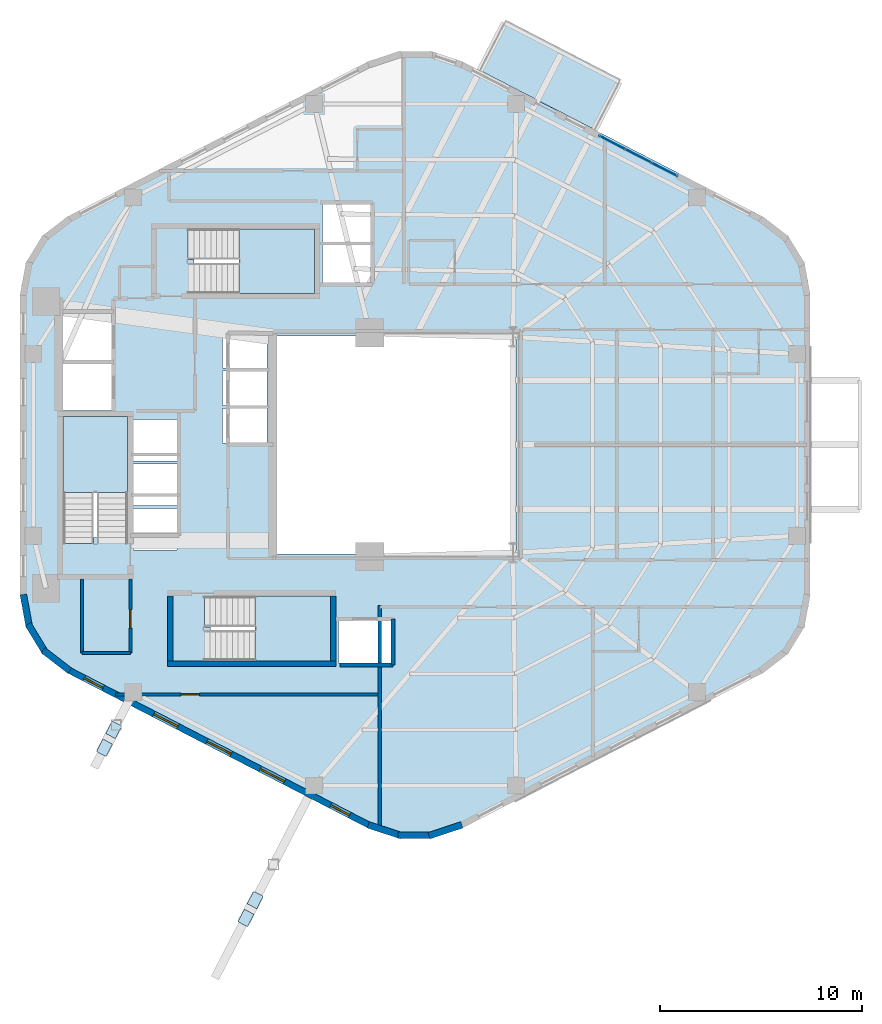
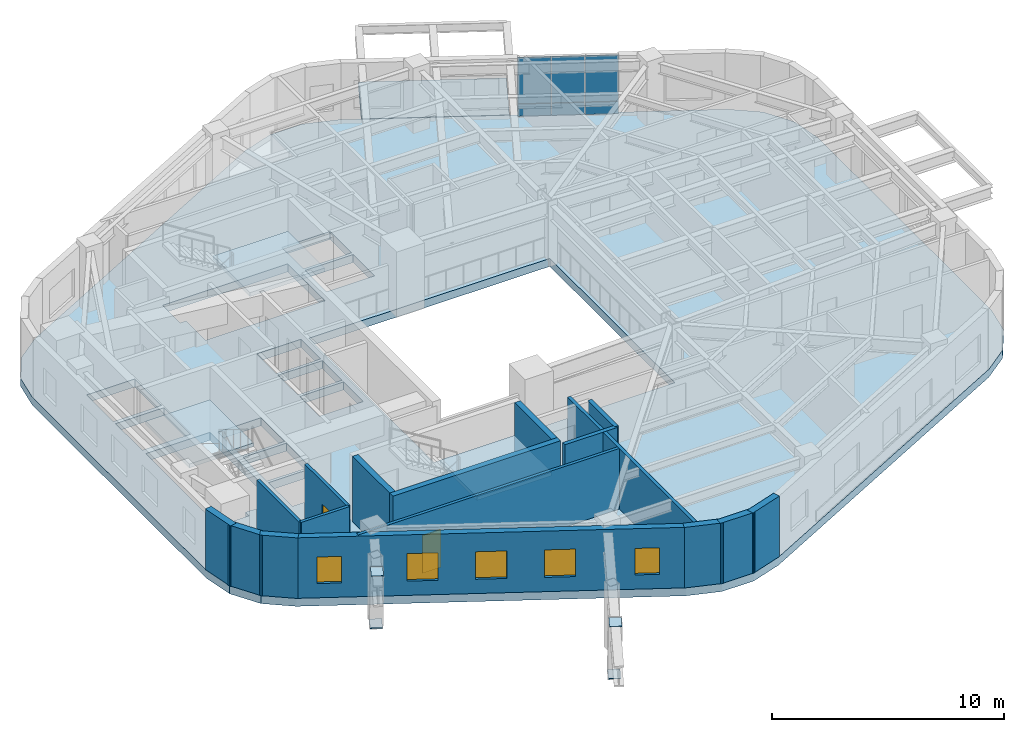
# One storey, part 6 of 12: 17 walls, 10 plates, 5 slabs, 5 windows, 2 doors, 7 openings, 4 elements without a shape of their own.
"""IFC4 building model written with IfcOpenShell, lengths in metres."""

from ifc_helpers import new_model, si_unit, direction, frame, frame_2d, origin, origin_2d, place, context, subcontext, project, spatial, polyline, rectangle, outline, extrude, material, layer, layer_set, type_object, element, fill, aggregate, save


model = new_model("IFC4")

# Units and contexts
model_context = context("Model", 3, precision=1e-05, world=origin(), true_north=direction((0.0, 1.0)))
body_context = subcontext(model_context, "Body", "Model", "MODEL_VIEW")
ifc_project = project(units=[si_unit("LENGTHUNIT", "METRE"), si_unit("AREAUNIT", "SQUARE_METRE"), si_unit("VOLUMEUNIT", "CUBIC_METRE"), si_unit("PLANEANGLEUNIT", "RADIAN"), si_unit("MASSUNIT", "GRAM", prefix="KILO"), si_unit("THERMODYNAMICTEMPERATUREUNIT", "KELVIN"), si_unit("POWERUNIT", "WATT")], contexts=[model_context])

# Site, building, storey
site_placement = place(None, origin())
site = spatial("IfcSite", under=ifc_project, at=site_placement, CompositionType="ELEMENT")
building_placement = place(site_placement, origin())
building = spatial("IfcBuilding", under=site, at=building_placement, Name="Skarre Station Tower", CompositionType="ELEMENT")
storey_placement = place(building_placement, frame((0.0, 0.0, 163.64990234375)))
storey = spatial("IfcBuildingStorey", under=building, at=storey_placement, Name="L44", CompositionType="ELEMENT", Elevation=163.64990234375)

# Curtain wall, plates
ifc_material_1 = material(Name="Thermally Broken Bronze-Anodized Aluminium & Triple Low-E Glass", Category="aluminium")
ifc_layer_1 = layer(ifc_material_1, 0.18994140625, Name="Thermally Broken Bronze-Anodized Aluminium & Triple Low-E Glass")
ifc_layer_set_1 = layer_set([ifc_layer_1], Name="Thermally Broken Bronze-Anodized Aluminium & Triple Low-E Glass")
curtain_wall_type = type_object("IfcCurtainWallType", Name="Sky-Garden Setback Conservatory Curtain Wall", PredefinedType="NOTDEFINED", material=ifc_layer_set_1)
curtain_wall_placement = place(storey_placement, origin())
curtain_wall = element("IfcCurtainWall", 1, at=curtain_wall_placement, inside=storey, type_object=curtain_wall_type, Name="L44 Facet 0 Conservatory Curtain Wall", PredefinedType="NOTDEFINED")
ifc_material_2 = material(Name="Insulated Bronze Anodized Aluminium Spandrel", Category="aluminium")
ifc_layer_2 = layer(ifc_material_2, 0.052001953125, Name="Insulated Bronze Anodized Aluminium Spandrel")
ifc_layer_set_2 = layer_set([ifc_layer_2], Name="Insulated Bronze Anodized Aluminium Spandrel")
plate_type_1 = type_object("IfcPlateType", Name="Bronze Insulated Spandrel Sheet Panel 52", PredefinedType="SHEET", material=ifc_layer_set_2)
plate_1_placement = place(storey_placement, frame((44.364990234375, 38.986083984375, 0.05224609375), z_axis=(0.0, 0.0, 1.0), x_axis=(0.888593216602, -0.458696081745, 0.0)))
plate_1 = element("IfcPlate", 2, at=plate_1_placement, type_object=plate_type_1, Name="L44 Facet 0 Conservatory Curtain Wall Spandrel Panel 1-1", PredefinedType="SHEET", context=body_context, shape_type="SweptSolid", body=[
    extrude(rectangle(XDim=1.43408203125, YDim=0.052001953125, at=origin_2d()), origin(), (0.0, 0.0, 1.0), 0.635986328125),
])
plate_2_placement = place(storey_placement, frame((45.660888671875, 38.31689453125, 0.05224609375), z_axis=(0.0, 0.0, 1.0), x_axis=(0.888593216602, -0.458696081745, 0.0)))
plate_2 = element("IfcPlate", 3, at=plate_2_placement, type_object=plate_type_1, Name="L44 Facet 0 Conservatory Curtain Wall Spandrel Panel 2-1", PredefinedType="SHEET", context=body_context, shape_type="SweptSolid", body=[
    extrude(rectangle(XDim=1.43408203125, YDim=0.052001953125, at=origin_2d()), origin(), (0.0, 0.0, 1.0), 0.635986328125),
])
plate_3_placement = place(storey_placement, frame((46.95703125, 37.64794921875, 0.05224609375), z_axis=(0.0, 0.0, 1.0), x_axis=(0.888593216602, -0.458696081745, 0.0)))
plate_3 = element("IfcPlate", 4, at=plate_3_placement, type_object=plate_type_1, Name="L44 Facet 0 Conservatory Curtain Wall Spandrel Panel 3-1", PredefinedType="SHEET", context=body_context, shape_type="SweptSolid", body=[
    extrude(rectangle(XDim=1.43408203125, YDim=0.052001953125, at=origin_2d()), origin(), (0.0, 0.0, 1.0), 0.635986328125),
])

# Plates
ifc_material_3 = material(Name="Steel ASTM A572 Grade 50", Category="steel")
ifc_layer_3 = layer(ifc_material_3, 0.031982421875, Name="Steel ASTM A572 Grade 50")
ifc_layer_set_3 = layer_set([ifc_layer_3], Name="Steel ASTM A572 Grade 50")
plate_type_2 = type_object("IfcPlateType", Name="Exoskeleton Strut Cap Plate 700x540x32", PredefinedType="USERDEFINED", material=ifc_layer_set_3)
for number, where, z_axis, x_axis, name in (
    (5, (19.6630859375, 9.876953125, -0.44580078125), (0.0, 0.0, 1.0), (-0.458634045118, -0.888625237464, 0.0), "L44 SB-4 Exoskeleton Tier-2 Base Gusset S1"),
    (6, (19.2041015625, 8.988037109375, 3.00390625), (0.0, 0.0, 1.0), (-0.458634045118, -0.888625237464, 0.0), "L44 SB-4 Exoskeleton Tier-2 Head Gusset S1"),
    (7, (26.672119140625, 1.44189453125, -0.44580078125), (0.0, 0.0, 1.0), (-0.458634045118, -0.888625237464, 0.0), "L44 SB-4 Exoskeleton Tier-2 Base Gusset S2"),
    (8, (26.212890625, 0.553955078125, 3.00390625), (0.0, 0.0, 1.0), (-0.458634045118, -0.888625237464, 0.0), "L44 SB-4 Exoskeleton Tier-2 Head Gusset S2"),
):
    element("IfcPlate", number, at=place(storey_placement, frame(where, z_axis=z_axis, x_axis=x_axis)), inside=storey, type_object=plate_type_2, Name=name, ObjectType="STIFFENER_PLATE", PredefinedType="USERDEFINED", context=body_context, shape_type="SweptSolid", body=[
        extrude(rectangle(XDim=0.699951171875, YDim=0.5400390625, at=origin_2d()), origin(), (0.0, 0.0, 1.0), 0.031982421875),
    ])

# Stair, slab
ifc_material_4 = material(Name="Concrete C40/50", Category="concrete")
stair_type_1 = type_object("IfcStairType", Name="Reinforced Concrete Exit Stair ST-1", PredefinedType="HALF_TURN_STAIR", material=ifc_material_4)
stair_1_placement = place(storey_placement, origin())
stair_1 = element("IfcStair", 9, at=stair_1_placement, inside=storey, type_object=stair_type_1, Name="L44 Core Exit Stair ST-1", PredefinedType="HALF_TURN_STAIR")
ifc_layer_4 = layer(ifc_material_4, 0.219970703125, Name="Concrete C40/50")
ifc_layer_set_4 = layer_set([ifc_layer_4], Name="Concrete C40/50")
slab_type_1 = type_object("IfcSlabType", Name="Reinforced Concrete Stair & Ramp Landing 220", PredefinedType="LANDING", material=ifc_layer_set_4)
slab_1_placement = place(storey_placement, frame((0.0, 0.0, 1.525146484375)))
slab_1 = element("IfcSlab", 10, at=slab_1_placement, type_object=slab_type_1, Name="ST-1 landing 1", PredefinedType="LANDING", context=body_context, shape_type="SweptSolid", body=[
    extrude(outline(polyline([(20.35009765625, 21.639892578125), (20.35009765625, 25.39990234375), (17.14990234375, 25.39990234375), (17.14990234375, 21.639892578125), (20.35009765625, 21.639892578125)])), origin(), (0.0, 0.0, 1.0), 0.199951171875),
])
aggregate(stair_1, [slab_1])

stair_type_2 = type_object("IfcStairType", Name="Reinforced Concrete Exit Stair ST-2", PredefinedType="HALF_TURN_STAIR", material=ifc_material_4)
stair_2_placement = place(storey_placement, origin())
stair_2 = element("IfcStair", 11, at=stair_2_placement, inside=storey, type_object=stair_type_2, Name="L44 Core Exit Stair ST-2", PredefinedType="HALF_TURN_STAIR")
slab_2_placement = place(storey_placement, frame((0.0, 0.0, 1.525146484375)))
slab_2 = element("IfcSlab", 12, at=slab_2_placement, type_object=slab_type_1, Name="ST-2 landing 1", PredefinedType="LANDING", context=body_context, shape_type="SweptSolid", body=[
    extrude(outline(polyline([(26.669921875, 13.300048828125), (30.39990234375, 13.300048828125), (30.39990234375, 16.5), (26.669921875, 16.5), (26.669921875, 13.300048828125)])), origin(), (0.0, 0.0, 1.0), 0.199951171875),
])
aggregate(stair_2, [slab_2])

stair_type_3 = type_object("IfcStairType", Name="Reinforced Concrete Exit Stair ST-3", PredefinedType="HALF_TURN_STAIR", material=ifc_material_4)
stair_3_placement = place(storey_placement, origin())
stair_3 = element("IfcStair", 13, at=stair_3_placement, inside=storey, type_object=stair_type_3, Name="L44 Core Exit Stair ST-3", PredefinedType="HALF_TURN_STAIR")
slab_3_placement = place(storey_placement, frame((0.0, 0.0, 1.525146484375)))
slab_3 = element("IfcSlab", 14, at=slab_3_placement, type_object=slab_type_1, Name="ST-3 landing 1", PredefinedType="LANDING", context=body_context, shape_type="SweptSolid", body=[
    extrude(outline(polyline([(25.8701171875, 31.5), (29.60009765625, 31.5), (29.60009765625, 34.699951171875), (25.8701171875, 34.699951171875), (25.8701171875, 31.5)])), origin(), (0.0, 0.0, 1.0), 0.199951171875),
])
aggregate(stair_3, [slab_3])

# Slabs
ifc_material_5 = material(Name="Concrete C50/60", Category="concrete")
ifc_layer_5 = layer(ifc_material_5, 0.419921875, Name="Concrete C50/60")
ifc_layer_set_5 = layer_set([ifc_layer_5], Name="Concrete C50/60")
slab_type_2 = type_object("IfcSlabType", Name="Sky-Garden & Lookout Terrace Slab 360", PredefinedType="FLOOR", material=ifc_layer_set_5)
slab_4_placement = place(storey_placement, frame((0.0, 0.0, -0.35986328125)))
element("IfcSlab", 15, at=slab_4_placement, inside=storey, type_object=slab_type_2, Name="L44 SG-2 Planted Sky-Garden Terrace Slab", PredefinedType="FLOOR", context=body_context, shape_type="SweptSolid", body=[
    extrude(outline(polyline([(37.81103515625, 42.554931640625), (43.492919921875, 39.6220703125), (44.77294921875, 42.10107421875), (39.090087890625, 45.033935546875), (37.81103515625, 42.554931640625)])), origin(), (0.0, 0.0, 1.0), 0.35986328125),
])
ifc_layer_6 = layer(ifc_material_5, 0.419921875, Name="Concrete C50/60")
ifc_layer_set_6 = layer_set([ifc_layer_6], Name="Concrete C50/60")
slab_type_3 = type_object("IfcSlabType", Name="Transfer & Concourse Floor Slab 360", PredefinedType="FLOOR", material=ifc_layer_set_6)
slab_5_placement = place(storey_placement, frame((0.0, 0.0, -0.419921875)))
element("IfcSlab", 16, at=slab_5_placement, inside=storey, type_object=slab_type_3, Name="L44 Zone 3 Structural Floor Slab", PredefinedType="FLOOR", context=body_context, shape_type="SweptSolid", body=[
    extrude(outline(polyline([(54.172119140625, 31.501953125), (53.89208984375, 33.02294921875), (53.0869140625, 34.344970703125), (51.863037109375, 35.291015625), (36.908935546875, 43.009033203125), (35.39599609375, 43.506103515625), (33.803955078125, 43.506103515625), (32.291015625, 43.009033203125), (17.3369140625, 35.291015625), (16.113037109375, 34.344970703125), (15.30810546875, 33.02294921875), (15.028076171875, 31.501953125), (15.028076171875, 16.498046875), (15.30810546875, 14.97705078125), (16.113037109375, 13.655029296875), (17.3369140625, 12.708984375), (32.291015625, 4.990966796875), (33.803955078125, 4.493896484375), (35.39599609375, 4.493896484375), (36.908935546875, 4.990966796875), (51.863037109375, 12.708984375), (53.0869140625, 13.655029296875), (53.89208984375, 14.97705078125), (54.172119140625, 16.498046875), (54.172119140625, 31.501953125)]), holes=[polyline([(18.669921875, 19.419921875), (18.669921875, 19.123046875), (17.14990234375, 19.123046875), (17.14990234375, 25.39990234375), (20.35009765625, 25.39990234375), (20.35009765625, 19.419921875), (18.669921875, 19.419921875)]), polyline([(24.449951171875, 14.97998046875), (24.153076171875, 14.97998046875), (24.153076171875, 16.5), (30.39990234375, 16.5), (30.39990234375, 13.300048828125), (24.449951171875, 13.300048828125), (24.449951171875, 14.97998046875)]), polyline([(23.64990234375, 33.179931640625), (23.35302734375, 33.179931640625), (23.35302734375, 34.699951171875), (29.60009765625, 34.699951171875), (29.60009765625, 31.5), (23.64990234375, 31.5), (23.64990234375, 33.179931640625)]), polyline([(17.14990234375, 28.0), (19.550048828125, 28.0), (19.550048828125, 25.699951171875), (17.14990234375, 25.699951171875), (17.14990234375, 28.0)]), polyline([(17.14990234375, 30.5), (19.550048828125, 30.5), (19.550048828125, 28.199951171875), (17.14990234375, 28.199951171875), (17.14990234375, 30.5)]), polyline([(30.800048828125, 15.300048828125), (33.39990234375, 15.300048828125), (33.39990234375, 13.199951171875), (30.800048828125, 13.199951171875), (30.800048828125, 15.300048828125)]), polyline([(25.050048828125, 25.800048828125), (27.25, 25.800048828125), (27.25, 24.10009765625), (25.050048828125, 24.10009765625), (25.050048828125, 25.800048828125)]), polyline([(25.050048828125, 27.64990234375), (27.25, 27.64990234375), (27.25, 25.949951171875), (25.050048828125, 25.949951171875), (25.050048828125, 27.64990234375)]), polyline([(25.050048828125, 29.5), (27.25, 29.5), (27.25, 27.800048828125), (25.050048828125, 27.800048828125), (25.050048828125, 29.5)]), polyline([(20.64990234375, 20.85009765625), (22.800048828125, 20.85009765625), (22.800048828125, 18.800048828125), (20.64990234375, 18.800048828125), (20.64990234375, 20.85009765625)]), polyline([(20.64990234375, 23.050048828125), (22.800048828125, 23.050048828125), (22.800048828125, 21.0), (20.64990234375, 21.0), (20.64990234375, 23.050048828125)]), polyline([(20.64990234375, 25.25), (22.800048828125, 25.25), (22.800048828125, 23.199951171875), (20.64990234375, 23.199951171875), (20.64990234375, 25.25)]), polyline([(30.0, 33.89990234375), (32.39990234375, 33.89990234375), (32.39990234375, 32.050048828125), (30.0, 32.050048828125), (30.0, 33.89990234375)]), polyline([(30.0, 35.89990234375), (32.39990234375, 35.89990234375), (32.39990234375, 34.050048828125), (30.0, 34.050048828125), (30.0, 35.89990234375)]), polyline([(27.60009765625, 29.39990234375), (39.60009765625, 29.39990234375), (39.60009765625, 18.60009765625), (27.60009765625, 18.60009765625), (27.60009765625, 29.39990234375)])]), origin(), (0.0, 0.0, 1.0), 0.419921875),
])

# Plate
ifc_material_6 = material(Name="Low-Iron Triple Insulating Glass Unit", Category="glass")
ifc_layer_7 = layer(ifc_material_6, 0.0439453125, Name="Low-Iron Triple Insulating Glass Unit")
ifc_layer_set_7 = layer_set([ifc_layer_7], Name="Low-Iron Triple Insulating Glass Unit")
plate_type_3 = type_object("IfcPlateType", Name="Triple-Glazed Vision Curtain Panel 44", PredefinedType="CURTAIN_PANEL", material=ifc_layer_set_7)
plate_4_placement = place(storey_placement, frame((44.364990234375, 38.986083984375, 0.7119140625), z_axis=(0.0, 0.0, 1.0), x_axis=(0.888593216602, -0.458696081745, 0.0)))
plate_4 = element("IfcPlate", 17, at=plate_4_placement, type_object=plate_type_3, Name="L44 Facet 0 Conservatory Curtain Wall Vision Panel 1-2", PredefinedType="CURTAIN_PANEL", context=body_context, shape_type="SweptSolid", body=[
    extrude(rectangle(XDim=1.43408203125, YDim=0.0439453125, at=origin_2d()), origin(), (0.0, 0.0, 1.0), 2.426025390625),
])

plate_5_placement = place(storey_placement, frame((45.660888671875, 38.31689453125, 0.7119140625), z_axis=(0.0, 0.0, 1.0), x_axis=(0.888593216602, -0.458696081745, 0.0)))
plate_5 = element("IfcPlate", 18, at=plate_5_placement, type_object=plate_type_3, Name="L44 Facet 0 Conservatory Curtain Wall Vision Panel 2-2", PredefinedType="CURTAIN_PANEL", context=body_context, shape_type="SweptSolid", body=[
    extrude(rectangle(XDim=1.43408203125, YDim=0.0439453125, at=origin_2d()), origin(), (0.0, 0.0, 1.0), 2.426025390625),
])

plate_6_placement = place(storey_placement, frame((46.95703125, 37.64794921875, 0.7119140625), z_axis=(0.0, 0.0, 1.0), x_axis=(0.888593216602, -0.458696081745, 0.0)))
plate_6 = element("IfcPlate", 19, at=plate_6_placement, type_object=plate_type_3, Name="L44 Facet 0 Conservatory Curtain Wall Vision Panel 3-2", PredefinedType="CURTAIN_PANEL", context=body_context, shape_type="SweptSolid", body=[
    extrude(rectangle(XDim=1.43408203125, YDim=0.0439453125, at=origin_2d()), origin(), (0.0, 0.0, 1.0), 2.426025390625),
])

aggregate(curtain_wall, [plate_1, plate_4, plate_2, plate_5, plate_3, plate_6])

# Walls
ifc_material_7 = material(Name="Acoustic Steel-Stud Gypsum Partition", Category="steel")
ifc_layer_8 = layer(ifc_material_7, 0.14990234375, Name="Acoustic Steel-Stud Gypsum Partition")
ifc_layer_set_8 = layer_set([ifc_layer_8], Name="Acoustic Steel-Stud Gypsum Partition")
wall_type_1 = type_object("IfcWallType", Name="Fire-Rated Corridor Acoustic Partition 150", PredefinedType="PARTITIONING", material=ifc_layer_set_8)
wall_1_placement = place(storey_placement, frame((18.10009765625, 17.340087890625, 0.0), z_axis=(0.0, 0.0, 1.0), x_axis=(0.0, -1.0, 0.0)))
element("IfcWall", 20, at=wall_1_placement, inside=storey, type_object=wall_type_1, Name="L44 Interior Partition WL-PT-L44-CSVC-W", PredefinedType="PARTITIONING", context=body_context, shape_type="SweptSolid", body=[
    extrude(rectangle(XDim=3.66015625, YDim=0.14990234375, at=frame_2d((1.830078125, 0.0))), origin(), (0.0, 0.0, 1.0), 3.190185546875),
])
wall_2_placement = place(storey_placement, frame((18.10009765625, 13.679931640625, 0.0), z_axis=(0.0, 0.0, 1.0), x_axis=(1.0, 0.0, 0.0)))
element("IfcWall", 21, at=wall_2_placement, inside=storey, type_object=wall_type_1, Name="L44 Interior Partition WL-PT-L44-CSVC-S", PredefinedType="PARTITIONING", context=body_context, shape_type="SweptSolid", body=[
    extrude(rectangle(XDim=2.389892578125, YDim=0.14990234375, at=frame_2d((1.19482421875, 0.0))), origin(), (0.0, 0.0, 1.0), 3.190185546875),
])

# Wall, opening, door
wall_3_placement = place(storey_placement, frame((20.489990234375, 13.679931640625, 0.0), z_axis=(0.0, 0.0, 1.0), x_axis=(0.0, 1.0, 0.0)))
wall_3 = element("IfcWall", 22, at=wall_3_placement, inside=storey, type_object=wall_type_1, Name="L44 Interior Partition WL-PT-L44-CSVC-E", PredefinedType="PARTITIONING", context=body_context, shape_type="SweptSolid", body=[
    extrude(rectangle(XDim=3.66015625, YDim=0.14990234375, at=frame_2d((1.830078125, 0.0))), origin(), (0.0, 0.0, 1.0), 3.190185546875),
])
opening_1_placement = place(wall_3_placement, frame((1.25, 0.0, 0.0)))
opening_1 = element("IfcOpeningElement", 23, at=opening_1_placement, cuts=wall_3, Name="Opening DR-SVC90", PredefinedType="OPENING", context=body_context, shape_type="SweptSolid", body=[
    extrude(rectangle(XDim=0.89990234375, YDim=2.0, at=frame_2d((0.449951171875, 1.0))), frame((0.0, 0.0849609375, 0.0), z_axis=(0.0, -1.0, 0.0), x_axis=(1.0, 0.0, 0.0)), (0.0, 0.0, 1.0), 0.169921875),
])
ifc_material_8 = material(Name="Powder-Coated Hollow-Metal Acoustic Fire Leaf", Category="steel")
door_type = type_object("IfcDoorType", Name="Service & Riser Fire Door FD60 900x2100", OperationType="SINGLE_SWING_LEFT", PredefinedType="DOOR", material=ifc_material_8)
door_1_placement = place(opening_1_placement, origin())
door_1 = element("IfcDoor", 24, at=door_1_placement, inside=storey, type_object=door_type, Name="L44 Core Pantry Door", OperationType="SINGLE_SWING_LEFT", OverallHeight=2.0, OverallWidth=0.89990234375, PredefinedType="DOOR", context=body_context, shape_type="SweptSolid", body=[
    extrude(rectangle(XDim=0.89990234375, YDim=2.0, at=frame_2d((0.449951171875, 1.0))), frame((0.0, 0.02490234375, 0.0), z_axis=(0.0, -1.0, 0.0), x_axis=(1.0, 0.0, 0.0)), (0.0, 0.0, 1.0), 0.050048828125),
])
fill(opening_1, door_1)

wall_4_placement = place(storey_placement, frame((19.757080078125, 11.639892578125, 0.0), z_axis=(0.0, 0.0, 1.0), x_axis=(1.0, 0.0, 0.0)))
wall_4 = element("IfcWall", 25, at=wall_4_placement, inside=storey, type_object=wall_type_1, Name="L44 Interior Partition WL-PT-L44-SWP-N", PredefinedType="PARTITIONING", context=body_context, shape_type="SweptSolid", body=[
    extrude(rectangle(XDim=13.093017578125, YDim=0.14990234375, at=frame_2d((6.54638671875, 0.0))), origin(), (0.0, 0.0, 1.0), 3.190185546875),
])
opening_2_placement = place(wall_4_placement, frame((3.242919921875, 0.0, 0.0)))
opening_2 = element("IfcOpeningElement", 26, at=opening_2_placement, cuts=wall_4, Name="Opening DR-SVC90", PredefinedType="OPENING", context=body_context, shape_type="SweptSolid", body=[
    extrude(rectangle(XDim=0.89990234375, YDim=2.0, at=frame_2d((0.449951171875, 1.0))), frame((0.0, 0.0849609375, 0.0), z_axis=(0.0, -1.0, 0.0), x_axis=(1.0, 0.0, 0.0)), (0.0, 0.0, 1.0), 0.169921875),
])
door_2_placement = place(opening_2_placement, origin())
door_2 = element("IfcDoor", 27, at=door_2_placement, inside=storey, type_object=door_type, Name="L44 Floor Public Toilets Door", OperationType="SINGLE_SWING_LEFT", OverallHeight=2.0, OverallWidth=0.89990234375, PredefinedType="DOOR", context=body_context, shape_type="SweptSolid", body=[
    extrude(rectangle(XDim=0.89990234375, YDim=2.0, at=frame_2d((0.449951171875, 1.0))), frame((0.0, 0.02490234375, 0.0), z_axis=(0.0, -1.0, 0.0), x_axis=(1.0, 0.0, 0.0)), (0.0, 0.0, 1.0), 0.050048828125),
])
fill(opening_2, door_2)

# Walls
ifc_material_9 = material(Name="Precast concrete C45/55", Category="concrete")
ifc_layer_9 = layer(ifc_material_9, 0.330078125, Name="Precast concrete C45/55")
ifc_layer_set_9 = layer_set([ifc_layer_9], Name="Precast concrete C45/55")
wall_type_2 = type_object("IfcWallType", Name="Nordic Rounded Corner Precast Wall 330", PredefinedType="STANDARD", material=ifc_layer_set_9)
wall_5_placement = place(storey_placement, frame((17.489013671875, 12.800048828125, 0.0), z_axis=(0.0, 0.0, 1.0), x_axis=(-0.791409877269, 0.611285862884, 0.0)))
element("IfcWall", 28, at=wall_5_placement, inside=storey, type_object=wall_type_2, Name="L44 Rounded Corner Precast Wall F3-1", PredefinedType="STANDARD", context=body_context, shape_type="SweptSolid", body=[
    extrude(rectangle(XDim=1.676513671875, YDim=0.330078125, at=frame_2d((0.83837890625, 0.0))), origin(), (0.0, 0.0, 1.0), 3.190185546875),
])
wall_6_placement = place(storey_placement, frame((16.2880859375, 13.68505859375, 0.0), z_axis=(0.0, 0.0, 1.0), x_axis=(-0.520325409202, 0.853968072318, 0.0)))
element("IfcWall", 29, at=wall_6_placement, inside=storey, type_object=wall_type_2, Name="L44 Rounded Corner Precast Wall F3-2", PredefinedType="STANDARD", context=body_context, shape_type="SweptSolid", body=[
    extrude(rectangle(XDim=1.677978515625, YDim=0.330078125, at=frame_2d((0.8388671875, 0.0))), origin(), (0.0, 0.0, 1.0), 3.190185546875),
])
wall_7_placement = place(storey_placement, frame((15.48193359375, 14.943115234375, 0.0), z_axis=(0.0, 0.0, 1.0), x_axis=(-0.180717642671, 0.983535019014, 0.0)))
element("IfcWall", 30, at=wall_7_placement, inside=storey, type_object=wall_type_2, Name="L44 Rounded Corner Precast Wall F3-3", PredefinedType="STANDARD", context=body_context, shape_type="SweptSolid", body=[
    extrude(rectangle(XDim=1.676513671875, YDim=0.330078125, at=frame_2d((0.83837890625, 0.0))), origin(), (0.0, 0.0, 1.0), 3.190185546875),
])
wall_8_placement = place(storey_placement, frame((36.9189453125, 5.16796875, 0.0), z_axis=(0.0, 0.0, 1.0), x_axis=(-0.949937416267, -0.312440242569, 0.0)))
element("IfcWall", 31, at=wall_8_placement, inside=storey, type_object=wall_type_2, Name="L44 Rounded Corner Precast Wall F4-1", PredefinedType="STANDARD", context=body_context, shape_type="SweptSolid", body=[
    extrude(rectangle(XDim=1.72216796875, YDim=0.330078125, at=frame_2d((0.861083984375, 0.0))), origin(), (0.0, 0.0, 1.0), 3.190185546875),
])
wall_9_placement = place(storey_placement, frame((35.4609375, 4.658935546875, 0.0), z_axis=(0.0, 0.0, 1.0), x_axis=(-1.0, 0.0, 0.0)))
element("IfcWall", 32, at=wall_9_placement, inside=storey, type_object=wall_type_2, Name="L44 Rounded Corner Precast Wall F4-2", PredefinedType="STANDARD", context=body_context, shape_type="SweptSolid", body=[
    extrude(rectangle(XDim=1.721923828125, YDim=0.330078125, at=frame_2d((0.86083984375, 0.0))), origin(), (0.0, 0.0, 1.0), 3.190185546875),
])
wall_10_placement = place(storey_placement, frame((33.9169921875, 4.6298828125, 0.0), z_axis=(0.0, 0.0, 1.0), x_axis=(-0.949937416267, 0.312440242569, 0.0)))
element("IfcWall", 33, at=wall_10_placement, inside=storey, type_object=wall_type_2, Name="L44 Rounded Corner Precast Wall F4-3", PredefinedType="STANDARD", context=body_context, shape_type="SweptSolid", body=[
    extrude(rectangle(XDim=1.72216796875, YDim=0.330078125, at=frame_2d((0.861083984375, 0.0))), origin(), (0.0, 0.0, 1.0), 3.190185546875),
])

# Wall, openings, windows
ifc_layer_10 = layer(ifc_material_9, 0.31005859375, Name="Precast concrete C45/55")
ifc_layer_set_10 = layer_set([ifc_layer_10], Name="Precast concrete C45/55")
wall_type_3 = type_object("IfcWallType", Name="Nordic Upper-Zone Precast Facet Wall 310", PredefinedType="STANDARD", material=ifc_layer_set_10)
wall_11_placement = place(storey_placement, frame((32.362060546875, 5.12890625, 0.0), z_axis=(0.0, 0.0, 1.0), x_axis=(-0.888626188278, 0.458632202867, 0.0)))
wall_11 = element("IfcWall", 34, at=wall_11_placement, inside=storey, type_object=wall_type_3, Name="L44 Facet 3 Nordic Precast Masonry Wall", PredefinedType="STANDARD", context=body_context, shape_type="SweptSolid", body=[
    extrude(rectangle(XDim=16.828369140625, YDim=0.31005859375, at=frame_2d((8.4140625, 0.0))), origin(), (0.0, 0.0, 1.0), 3.190185546875),
])
opening_3_placement = place(wall_11_placement, frame((1.136962890625, 0.0, 0.75)))
opening_3 = element("IfcOpeningElement", 35, at=opening_3_placement, cuts=wall_11, Name="Opening WN-SLT", PredefinedType="OPENING", context=body_context, shape_type="SweptSolid", body=[
    extrude(rectangle(XDim=1.050048828125, YDim=1.39990234375, at=frame_2d((0.52490234375, 0.699951171875))), frame((0.0, 0.1650390625, 0.0), z_axis=(0.0, -1.0, 0.0), x_axis=(1.0, 0.0, 0.0)), (0.0, 0.0, 1.0), 0.330078125),
])
opening_4_placement = place(wall_11_placement, frame((4.76806640625, 0.0, 0.75)))
opening_4 = element("IfcOpeningElement", 36, at=opening_4_placement, cuts=wall_11, Name="Opening WN-Z3B", PredefinedType="OPENING", context=body_context, shape_type="SweptSolid", body=[
    extrude(rectangle(XDim=1.35009765625, YDim=1.449951171875, at=frame_2d((0.675048828125, 0.72509765625))), frame((0.0, 0.1650390625, 0.0), z_axis=(0.0, -1.0, 0.0), x_axis=(1.0, 0.0, 0.0)), (0.0, 0.0, 1.0), 0.330078125),
])
opening_5_placement = place(wall_11_placement, frame((7.739013671875, 0.0, 0.75)))
opening_5 = element("IfcOpeningElement", 37, at=opening_5_placement, cuts=wall_11, Name="Opening WN-Z3B", PredefinedType="OPENING", context=body_context, shape_type="SweptSolid", body=[
    extrude(rectangle(XDim=1.35009765625, YDim=1.449951171875, at=frame_2d((0.675048828125, 0.72509765625))), frame((0.0, 0.1650390625, 0.0), z_axis=(0.0, -1.0, 0.0), x_axis=(1.0, 0.0, 0.0)), (0.0, 0.0, 1.0), 0.330078125),
])
opening_6_placement = place(wall_11_placement, frame((10.7099609375, 0.0, 0.75)))
opening_6 = element("IfcOpeningElement", 38, at=opening_6_placement, cuts=wall_11, Name="Opening WN-Z3B", PredefinedType="OPENING", context=body_context, shape_type="SweptSolid", body=[
    extrude(rectangle(XDim=1.35009765625, YDim=1.449951171875, at=frame_2d((0.675048828125, 0.72509765625))), frame((0.0, 0.1650390625, 0.0), z_axis=(0.0, -1.0, 0.0), x_axis=(1.0, 0.0, 0.0)), (0.0, 0.0, 1.0), 0.330078125),
])
opening_7_placement = place(wall_11_placement, frame((14.885009765625, 0.0, 0.75)))
opening_7 = element("IfcOpeningElement", 39, at=opening_7_placement, cuts=wall_11, Name="Opening WN-SLT", PredefinedType="OPENING", context=body_context, shape_type="SweptSolid", body=[
    extrude(rectangle(XDim=1.050048828125, YDim=1.39990234375, at=frame_2d((0.52490234375, 0.699951171875))), frame((0.0, 0.1650390625, 0.0), z_axis=(0.0, -1.0, 0.0), x_axis=(1.0, 0.0, 0.0)), (0.0, 0.0, 1.0), 0.330078125),
])
ifc_material_10 = material(Name="Low-Iron Triple Glazing with Bronze Anodized Frame", Category="glass")
window_type_1 = type_object("IfcWindowType", Name="Nordic Corner Slot Window 1050x1400", PartitioningType="SINGLE_PANEL", PredefinedType="WINDOW", material=ifc_material_10)
window_1_placement = place(opening_3_placement, origin())
window_1 = element("IfcWindow", 40, at=window_1_placement, inside=storey, type_object=window_type_1, Name="L44 Facade Window WL-FAC-L44-F3-1", OverallHeight=1.39990234375, OverallWidth=1.050048828125, PartitioningType="SINGLE_PANEL", PredefinedType="WINDOW", context=body_context, shape_type="SweptSolid", body=[
    extrude(rectangle(XDim=1.050048828125, YDim=1.39990234375, at=frame_2d((0.52490234375, 0.699951171875))), frame((0.0, 0.030029296875, 0.0), z_axis=(0.0, -1.0, 0.0), x_axis=(1.0, 0.0, 0.0)), (0.0, 0.0, 1.0), 0.06005859375),
])
fill(opening_3, window_1)
window_2_placement = place(opening_7_placement, origin())
window_2 = element("IfcWindow", 41, at=window_2_placement, inside=storey, type_object=window_type_1, Name="L44 Facade Window WL-FAC-L44-F3-5", OverallHeight=1.39990234375, OverallWidth=1.050048828125, PartitioningType="SINGLE_PANEL", PredefinedType="WINDOW", context=body_context, shape_type="SweptSolid", body=[
    extrude(rectangle(XDim=1.050048828125, YDim=1.39990234375, at=frame_2d((0.52490234375, 0.699951171875))), frame((0.0, 0.030029296875, 0.0), z_axis=(0.0, -1.0, 0.0), x_axis=(1.0, 0.0, 0.0)), (0.0, 0.0, 1.0), 0.06005859375),
])
fill(opening_7, window_2)
window_type_2 = type_object("IfcWindowType", Name="Nordic Hospitality Narrow Window 1350x1450", PartitioningType="SINGLE_PANEL", PredefinedType="WINDOW", material=ifc_material_10)
window_3_placement = place(opening_4_placement, origin())
window_3 = element("IfcWindow", 42, at=window_3_placement, inside=storey, type_object=window_type_2, Name="L44 Facade Window WL-FAC-L44-F3-2", OverallHeight=1.449951171875, OverallWidth=1.35009765625, PartitioningType="SINGLE_PANEL", PredefinedType="WINDOW", context=body_context, shape_type="SweptSolid", body=[
    extrude(rectangle(XDim=1.35009765625, YDim=1.449951171875, at=frame_2d((0.675048828125, 0.72509765625))), frame((0.0, 0.030029296875, 0.0), z_axis=(0.0, -1.0, 0.0), x_axis=(1.0, 0.0, 0.0)), (0.0, 0.0, 1.0), 0.06005859375),
])
fill(opening_4, window_3)
window_4_placement = place(opening_5_placement, origin())
window_4 = element("IfcWindow", 43, at=window_4_placement, inside=storey, type_object=window_type_2, Name="L44 Facade Window WL-FAC-L44-F3-3", OverallHeight=1.449951171875, OverallWidth=1.35009765625, PartitioningType="SINGLE_PANEL", PredefinedType="WINDOW", context=body_context, shape_type="SweptSolid", body=[
    extrude(rectangle(XDim=1.35009765625, YDim=1.449951171875, at=frame_2d((0.675048828125, 0.72509765625))), frame((0.0, 0.030029296875, 0.0), z_axis=(0.0, -1.0, 0.0), x_axis=(1.0, 0.0, 0.0)), (0.0, 0.0, 1.0), 0.06005859375),
])
fill(opening_5, window_4)
window_5_placement = place(opening_6_placement, origin())
window_5 = element("IfcWindow", 44, at=window_5_placement, inside=storey, type_object=window_type_2, Name="L44 Facade Window WL-FAC-L44-F3-4", OverallHeight=1.449951171875, OverallWidth=1.35009765625, PartitioningType="SINGLE_PANEL", PredefinedType="WINDOW", context=body_context, shape_type="SweptSolid", body=[
    extrude(rectangle(XDim=1.35009765625, YDim=1.449951171875, at=frame_2d((0.675048828125, 0.72509765625))), frame((0.0, 0.030029296875, 0.0), z_axis=(0.0, -1.0, 0.0), x_axis=(1.0, 0.0, 0.0)), (0.0, 0.0, 1.0), 0.06005859375),
])
fill(opening_6, window_5)

# Walls
ifc_layer_11 = layer(ifc_material_5, 0.280029296875, Name="Concrete C50/60")
ifc_layer_set_11 = layer_set([ifc_layer_11], Name="Concrete C50/60")
wall_type_4 = type_object("IfcWallType", Name="RC Core Shear Wall 280", PredefinedType="SHEAR", material=ifc_layer_set_11)
wall_12_placement = place(storey_placement, frame((22.320068359375, 13.159912109375, 0.0), z_axis=(0.0, 0.0, 1.0), x_axis=(1.0, 0.0, 0.0)))
element("IfcWall", 45, at=wall_12_placement, inside=storey, type_object=wall_type_4, Name="L44 Stair ST-2 South Shear Wall", PredefinedType="SHEAR", context=body_context, shape_type="SweptSolid", body=[
    extrude(rectangle(XDim=8.35986328125, YDim=0.280029296875, at=frame_2d((4.179931640625, 0.0))), origin(), (0.0, 0.0, 1.0), 3.4501953125),
])
for number, where, z_axis, x_axis, name in (
    (46, (22.4599609375, 16.5, 0.0), (0.0, 0.0, 1.0), (0.0, -1.0, 0.0), "L44 Stair ST-2 West Shear Wall"),
    (47, (30.5400390625, 13.300048828125, 0.0), (0.0, 0.0, 1.0), (0.0, 1.0, 0.0), "L44 Stair ST-2 East Shear Wall"),
):
    element("IfcWall", number, at=place(storey_placement, frame(where, z_axis=z_axis, x_axis=x_axis)), inside=storey, type_object=wall_type_4, Name=name, PredefinedType="SHEAR", context=body_context, shape_type="SweptSolid", body=[
        extrude(rectangle(XDim=3.199951171875, YDim=0.280029296875, at=frame_2d((1.60009765625, 0.0))), origin(), (0.0, 0.0, 1.0), 3.4501953125),
    ])
ifc_material_11 = material(Name="Gypsum Concrete Shaft Assembly C30/37", Category="concrete")
ifc_layer_12 = layer(ifc_material_11, 0.199951171875, Name="Gypsum Concrete Shaft Assembly C30/37")
ifc_layer_set_12 = layer_set([ifc_layer_12], Name="Gypsum Concrete Shaft Assembly C30/37")
wall_type_5 = type_object("IfcWallType", Name="Shaft & Core Fire Partition 200", PredefinedType="PARTITIONING", material=ifc_layer_set_12)
wall_13_placement = place(storey_placement, frame((33.5, 13.080078125, 0.0), z_axis=(0.0, 0.0, 1.0), x_axis=(0.0, 1.0, 0.0)))
element("IfcWall", 48, at=wall_13_placement, inside=storey, type_object=wall_type_5, Name="L44 Interior Partition WL-PT-L44-SV1-E", PredefinedType="PARTITIONING", context=body_context, shape_type="SweptSolid", body=[
    extrude(rectangle(XDim=2.2998046875, YDim=0.199951171875, at=frame_2d((1.14990234375, 0.0))), origin(), (0.0, 0.0, 1.0), 3.190185546875),
])
wall_14_placement = place(storey_placement, frame((30.87890625, 13.080078125, 0.0), z_axis=(0.0, 0.0, 1.0), x_axis=(1.0, 0.0, 0.0)))
element("IfcWall", 49, at=wall_14_placement, inside=storey, type_object=wall_type_5, Name="L44 Interior Partition WL-PT-L44-SV1-S", PredefinedType="PARTITIONING", context=body_context, shape_type="SweptSolid", body=[
    extrude(rectangle(XDim=2.62109375, YDim=0.199951171875, at=frame_2d((1.310546875, 0.0))), origin(), (0.0, 0.0, 1.0), 3.190185546875),
])
ifc_layer_13 = layer(ifc_material_7, 0.1650390625, Name="Acoustic Steel-Stud Gypsum Partition")
ifc_layer_set_13 = layer_set([ifc_layer_13], Name="Acoustic Steel-Stud Gypsum Partition")
wall_type_6 = type_object("IfcWallType", Name="Suite Demising Acoustic Partition 165", PredefinedType="PARTITIONING", material=ifc_layer_set_13)
wall_15_placement = place(storey_placement, frame((32.85009765625, 4.97607421875, 0.0), z_axis=(0.0, 0.0, 1.0), x_axis=(0.0, 1.0, 0.0)))
element("IfcWall", 50, at=wall_15_placement, inside=storey, type_object=wall_type_6, Name="L44 Interior Partition WL-PT-L44-SWP-E", PredefinedType="PARTITIONING", context=body_context, shape_type="SweptSolid", body=[
    extrude(rectangle(XDim=11.053955078125, YDim=0.1650390625, at=frame_2d((5.52685546875, 0.0))), origin(), (0.0, 0.0, 1.0), 3.190185546875),
])

save(model, "model.ifc")
